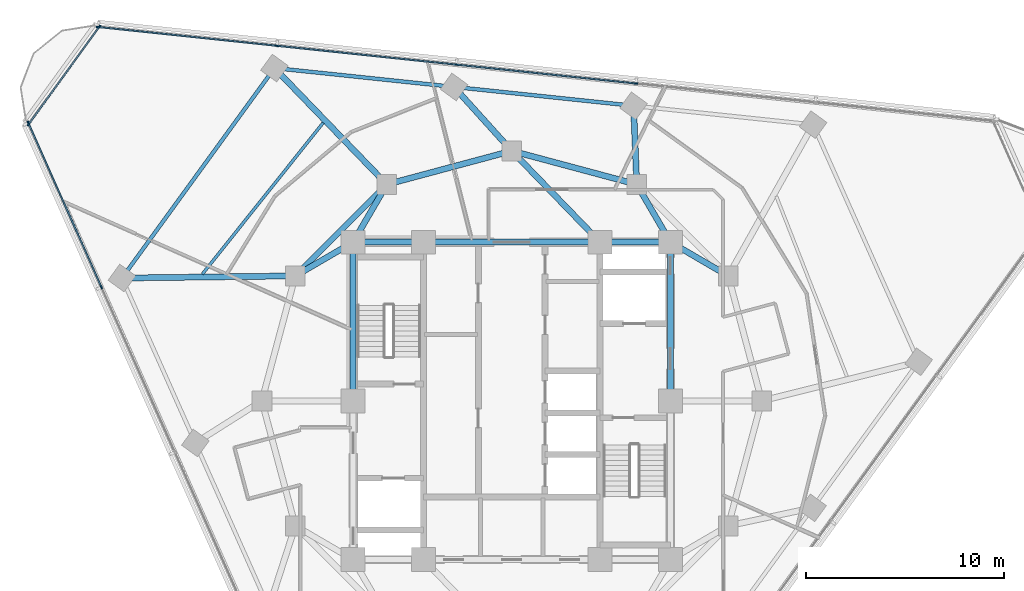
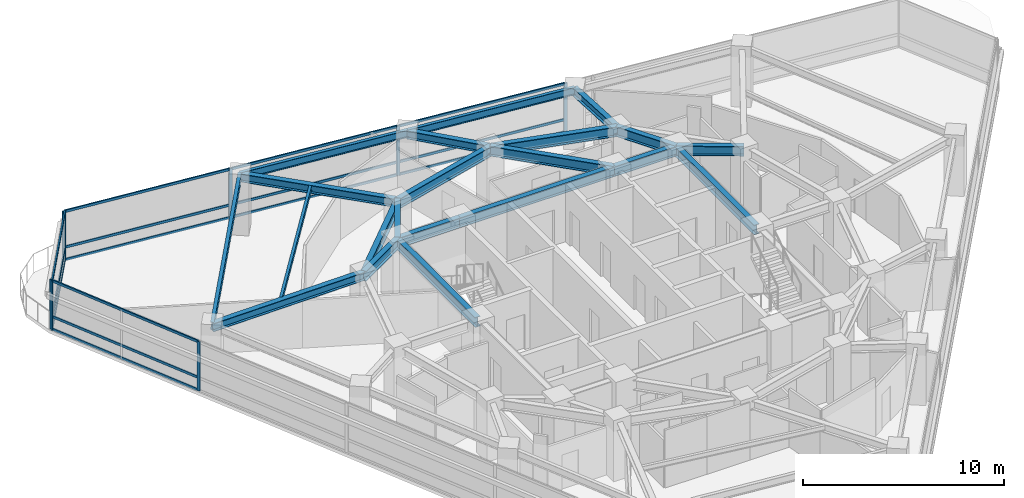
# One storey, part 5 of 15: 23 members, 21 beams, 3 elements without a shape of their own.
"""IFC4 building model written with IfcOpenShell, lengths in metres."""

from ifc_helpers import new_model, si_unit, direction, frame, origin, origin_2d, place, context, subcontext, project, spatial, rectangle, i_section, extrude, material, layer, layer_set, material_profile, profile_set, type_object, element, aggregate, save


model = new_model("IFC4")

# Units and contexts
model_context = context("Model", 3, precision=1e-05, world=origin(), true_north=direction((0.0, 1.0)))
body_context = subcontext(model_context, "Body", "Model", "MODEL_VIEW")
ifc_project = project(units=[si_unit("LENGTHUNIT", "METRE"), si_unit("AREAUNIT", "SQUARE_METRE"), si_unit("VOLUMEUNIT", "CUBIC_METRE"), si_unit("PLANEANGLEUNIT", "RADIAN"), si_unit("MASSUNIT", "GRAM", prefix="KILO")], contexts=[model_context])

# Site, building, storey
site_placement = place(None, origin())
site = spatial("IfcSite", under=ifc_project, at=site_placement, CompositionType="ELEMENT")
building_placement = place(site_placement, origin())
building = spatial("IfcBuilding", under=site, at=building_placement, Name="Terralouvre Media Tower", CompositionType="ELEMENT")
storey_placement = place(building_placement, frame((0.0, 0.0, 237.39990234375)))
storey = spatial("IfcBuildingStorey", under=building, at=storey_placement, Name="L61", CompositionType="ELEMENT", Elevation=237.39990234375)

# Beam
ifc_material_1 = material(Name="Structural steel S355J2", Category="steel")
ifc_material_profile_1 = material_profile(ifc_material_1, i_section(OverallWidth=0.14990234375, OverallDepth=0.300048828125, WebThickness=0.007080078125, FlangeThickness=0.0107421875, at=origin_2d()), Name="IPE 300")
ifc_profile_set_1 = profile_set([ifc_material_profile_1], Name="Structural steel S355J2")
beam_type_1 = type_object("IfcBeamType", Name="Composite Floor Joist J-IPE300 (IPE 300)", PredefinedType="JOIST", material=ifc_profile_set_1)
beam_1_placement = place(storey_placement, frame((-9.507568359375, 14.0205078125, 3.35009765625), z_axis=(-0.623938489158, -0.781473455561, 0.0), x_axis=(0.781473455561, -0.623938489158, 0.0)))
element("IfcBeam", 1, at=beam_1_placement, inside=storey, type_object=beam_type_1, Name="L61 Framing Beam JT-L61-05", PredefinedType="JOIST", context=body_context, shape_type="SweptSolid", body=[
    extrude(i_section(OverallWidth=0.14990234375, OverallDepth=0.300048828125, WebThickness=0.007080078125, FlangeThickness=0.0107421875, at=origin_2d()), origin(), (0.0, 0.0, 1.0), 9.763427734375),
])

# Curtain wall, members
ifc_material_2 = material(Name="Low-iron laminated double glazing with solar-control coating", Category="glass")
ifc_layer_1 = layer(ifc_material_2, 0.1650390625, Name="Upper Executive Tower Curtain Wall CW-05")
ifc_layer_set_1 = layer_set([ifc_layer_1], Name="Low-iron laminated double glazing with solar-control coating")
curtain_wall_type_1 = type_object("IfcCurtainWallType", Name="Upper Executive Tower Curtain Wall CW-05", PredefinedType="NOTDEFINED", material=ifc_layer_set_1)
curtain_wall_1_placement = place(storey_placement, origin())
curtain_wall_1 = element("IfcCurtainWall", 2, at=curtain_wall_1_placement, inside=storey, type_object=curtain_wall_type_1, Name="L61 Facade Curtain Wall F1", PredefinedType="NOTDEFINED")
ifc_material_3 = material(Name="Anodised extruded aluminium 6063-T6", Category="aluminium")
ifc_material_profile_2 = material_profile(ifc_material_3, rectangle(XDim=0.074951171875, YDim=0.14990234375, at=origin_2d()), Name="ALU 75x150")
ifc_profile_set_2 = profile_set([ifc_material_profile_2], Name="Anodised extruded aluminium 6063-T6")
member_type_1 = type_object("IfcMemberType", Name="Curtain-Wall Horizontal Transom TR-150", PredefinedType="USERDEFINED", material=ifc_profile_set_2)
member_1_placement = place(storey_placement, frame((6.21923828125, 16.002197265625, 0.03759765625), z_axis=(-0.994522041896, 0.104527069141, 0.0), x_axis=(-0.104527069141, -0.994522041896, 0.0)))
member_1 = element("IfcMember", 3, at=member_1_placement, type_object=member_type_1, Name="CW-05 transom 3.1", ObjectType="TRANSOM", PredefinedType="USERDEFINED", context=body_context, shape_type="SweptSolid", body=[
    extrude(rectangle(XDim=0.074951171875, YDim=0.14990234375, at=origin_2d()), origin(), (0.0, 0.0, 1.0), 9.025146484375),
])
member_2_placement = place(storey_placement, frame((6.21923828125, 16.002197265625, 0.800048828125), z_axis=(-0.994522041896, 0.104527069141, 0.0), x_axis=(-0.104527069141, -0.994522041896, 0.0)))
member_2 = element("IfcMember", 4, at=member_2_placement, type_object=member_type_1, Name="CW-05 transom 3.2", ObjectType="TRANSOM", PredefinedType="USERDEFINED", context=body_context, shape_type="SweptSolid", body=[
    extrude(rectangle(XDim=0.074951171875, YDim=0.14990234375, at=origin_2d()), origin(), (0.0, 0.0, 1.0), 9.025146484375),
])
member_3_placement = place(storey_placement, frame((6.21923828125, 16.002197265625, 2.962646484375), z_axis=(-0.994522041896, 0.104527069141, 0.0), x_axis=(-0.104527069141, -0.994522041896, 0.0)))
member_3 = element("IfcMember", 5, at=member_3_placement, type_object=member_type_1, Name="CW-05 transom 3.3", ObjectType="TRANSOM", PredefinedType="USERDEFINED", context=body_context, shape_type="SweptSolid", body=[
    extrude(rectangle(XDim=0.074951171875, YDim=0.14990234375, at=origin_2d()), origin(), (0.0, 0.0, 1.0), 9.025146484375),
])
member_4_placement = place(storey_placement, frame((-2.830810546875, 16.95361328125, 0.03759765625), z_axis=(-0.994522041896, 0.104527069141, 0.0), x_axis=(-0.104527069141, -0.994522041896, 0.0)))
member_4 = element("IfcMember", 6, at=member_4_placement, type_object=member_type_1, Name="CW-05 transom 4.1", ObjectType="TRANSOM", PredefinedType="USERDEFINED", context=body_context, shape_type="SweptSolid", body=[
    extrude(rectangle(XDim=0.074951171875, YDim=0.14990234375, at=origin_2d()), origin(), (0.0, 0.0, 1.0), 9.025146484375),
])
member_5_placement = place(storey_placement, frame((-2.830810546875, 16.95361328125, 0.800048828125), z_axis=(-0.994522041896, 0.104527069141, 0.0), x_axis=(-0.104527069141, -0.994522041896, 0.0)))
member_5 = element("IfcMember", 7, at=member_5_placement, type_object=member_type_1, Name="CW-05 transom 4.2", ObjectType="TRANSOM", PredefinedType="USERDEFINED", context=body_context, shape_type="SweptSolid", body=[
    extrude(rectangle(XDim=0.074951171875, YDim=0.14990234375, at=origin_2d()), origin(), (0.0, 0.0, 1.0), 9.025146484375),
])
member_6_placement = place(storey_placement, frame((-2.830810546875, 16.95361328125, 2.962646484375), z_axis=(-0.994522041896, 0.104527069141, 0.0), x_axis=(-0.104527069141, -0.994522041896, 0.0)))
member_6 = element("IfcMember", 8, at=member_6_placement, type_object=member_type_1, Name="CW-05 transom 4.3", ObjectType="TRANSOM", PredefinedType="USERDEFINED", context=body_context, shape_type="SweptSolid", body=[
    extrude(rectangle(XDim=0.074951171875, YDim=0.14990234375, at=origin_2d()), origin(), (0.0, 0.0, 1.0), 9.025146484375),
])
member_7_placement = place(storey_placement, frame((-11.881103515625, 17.90478515625, 0.03759765625), z_axis=(-0.994521813919, 0.104529238206, 0.0), x_axis=(-0.104529238206, -0.994521813919, 0.0)))
member_7 = element("IfcMember", 9, at=member_7_placement, type_object=member_type_1, Name="CW-05 transom 5.1", ObjectType="TRANSOM", PredefinedType="USERDEFINED", context=body_context, shape_type="SweptSolid", body=[
    extrude(rectangle(XDim=0.074951171875, YDim=0.14990234375, at=origin_2d()), origin(), (0.0, 0.0, 1.0), 8.987548828125),
])
member_8_placement = place(storey_placement, frame((-11.881103515625, 17.90478515625, 0.800048828125), z_axis=(-0.994521813919, 0.104529238206, 0.0), x_axis=(-0.104529238206, -0.994521813919, 0.0)))
member_8 = element("IfcMember", 10, at=member_8_placement, type_object=member_type_1, Name="CW-05 transom 5.2", ObjectType="TRANSOM", PredefinedType="USERDEFINED", context=body_context, shape_type="SweptSolid", body=[
    extrude(rectangle(XDim=0.074951171875, YDim=0.14990234375, at=origin_2d()), origin(), (0.0, 0.0, 1.0), 8.987548828125),
])
member_9_placement = place(storey_placement, frame((-11.881103515625, 17.90478515625, 2.962646484375), z_axis=(-0.994521813919, 0.104529238206, 0.0), x_axis=(-0.104529238206, -0.994521813919, 0.0)))
member_9 = element("IfcMember", 11, at=member_9_placement, type_object=member_type_1, Name="CW-05 transom 5.3", ObjectType="TRANSOM", PredefinedType="USERDEFINED", context=body_context, shape_type="SweptSolid", body=[
    extrude(rectangle(XDim=0.074951171875, YDim=0.14990234375, at=origin_2d()), origin(), (0.0, 0.0, 1.0), 8.987548828125),
])

curtain_wall_2_placement = place(storey_placement, origin())
curtain_wall_2 = element("IfcCurtainWall", 12, at=curtain_wall_2_placement, inside=storey, type_object=curtain_wall_type_1, Name="L61 Facade Curtain Wall F2", PredefinedType="NOTDEFINED")
member_10_placement = place(storey_placement, frame((-24.35546875, 13.97705078125, 0.03759765625), z_axis=(0.406758390963, -0.913535774549, 0.0), x_axis=(0.913535774549, 0.406758390963, 0.0)))
member_10 = element("IfcMember", 13, at=member_10_placement, type_object=member_type_1, Name="CW-05 transom 1.1", ObjectType="TRANSOM", PredefinedType="USERDEFINED", context=body_context, shape_type="SweptSolid", body=[
    extrude(rectangle(XDim=0.074951171875, YDim=0.14990234375, at=origin_2d()), origin(), (0.0, 0.0, 1.0), 8.987548828125),
])
member_11_placement = place(storey_placement, frame((-24.35546875, 13.97705078125, 0.800048828125), z_axis=(0.406758390963, -0.913535774549, 0.0), x_axis=(0.913535774549, 0.406758390963, 0.0)))
member_11 = element("IfcMember", 14, at=member_11_placement, type_object=member_type_1, Name="CW-05 transom 1.2", ObjectType="TRANSOM", PredefinedType="USERDEFINED", context=body_context, shape_type="SweptSolid", body=[
    extrude(rectangle(XDim=0.074951171875, YDim=0.14990234375, at=origin_2d()), origin(), (0.0, 0.0, 1.0), 8.987548828125),
])
member_12_placement = place(storey_placement, frame((-24.35546875, 13.97705078125, 2.962646484375), z_axis=(0.406758390963, -0.913535774549, 0.0), x_axis=(0.913535774549, 0.406758390963, 0.0)))
member_12 = element("IfcMember", 15, at=member_12_placement, type_object=member_type_1, Name="CW-05 transom 1.3", ObjectType="TRANSOM", PredefinedType="USERDEFINED", context=body_context, shape_type="SweptSolid", body=[
    extrude(rectangle(XDim=0.074951171875, YDim=0.14990234375, at=origin_2d()), origin(), (0.0, 0.0, 1.0), 8.987548828125),
])

ifc_material_4 = material(Name="Low-iron laminated double glazing with solar-control coating", Category="glass")
ifc_layer_2 = layer(ifc_material_4, 0.1650390625, Name="Rounded Wind-Corner Curved Glazing CW-04")
ifc_layer_set_2 = layer_set([ifc_layer_2], Name="Low-iron laminated double glazing with solar-control coating")
curtain_wall_type_2 = type_object("IfcCurtainWallType", Name="Rounded Wind-Corner Curved Glazing CW-04", PredefinedType="NOTDEFINED", material=ifc_layer_set_2)
curtain_wall_3_placement = place(storey_placement, origin())
curtain_wall_3 = element("IfcCurtainWall", 16, at=curtain_wall_3_placement, inside=storey, type_object=curtain_wall_type_2, Name="L61 Rounded Wind-Corner Curtain Wall C2", PredefinedType="NOTDEFINED")
member_13_placement = place(storey_placement, frame((-20.812255859375, 18.828369140625, 0.03759765625), z_axis=(-0.58777959511, -0.809021104528, 0.0), x_axis=(0.809021104528, -0.58777959511, 0.0)))
member_13 = element("IfcMember", 17, at=member_13_placement, type_object=member_type_1, Name="CW-04 transom 1.1", ObjectType="TRANSOM", PredefinedType="USERDEFINED", context=body_context, shape_type="SweptSolid", body=[
    extrude(rectangle(XDim=0.074951171875, YDim=0.14990234375, at=origin_2d()), origin(), (0.0, 0.0, 1.0), 5.99853515625),
])
member_14_placement = place(storey_placement, frame((-20.812255859375, 18.828369140625, 0.800048828125), z_axis=(-0.58777959511, -0.809021104528, 0.0), x_axis=(0.809021104528, -0.58777959511, 0.0)))
member_14 = element("IfcMember", 18, at=member_14_placement, type_object=member_type_1, Name="CW-04 transom 1.2", ObjectType="TRANSOM", PredefinedType="USERDEFINED", context=body_context, shape_type="SweptSolid", body=[
    extrude(rectangle(XDim=0.074951171875, YDim=0.14990234375, at=origin_2d()), origin(), (0.0, 0.0, 1.0), 5.99853515625),
])
member_15_placement = place(storey_placement, frame((-20.812255859375, 18.828369140625, 2.962646484375), z_axis=(-0.58777959511, -0.809021104528, 0.0), x_axis=(0.809021104528, -0.58777959511, 0.0)))
member_15 = element("IfcMember", 19, at=member_15_placement, type_object=member_type_1, Name="CW-04 transom 1.3", ObjectType="TRANSOM", PredefinedType="USERDEFINED", context=body_context, shape_type="SweptSolid", body=[
    extrude(rectangle(XDim=0.074951171875, YDim=0.14990234375, at=origin_2d()), origin(), (0.0, 0.0, 1.0), 5.99853515625),
])

# Member
ifc_material_5 = material(Name="Anodised extruded aluminium 6063-T6", Category="aluminium")
ifc_material_profile_3 = material_profile(ifc_material_5, rectangle(XDim=0.074951171875, YDim=0.179931640625, at=origin_2d()), Name="ALU 75x180")
ifc_profile_set_3 = profile_set([ifc_material_profile_3], Name="Anodised extruded aluminium 6063-T6")
member_type_2 = type_object("IfcMemberType", Name="Curtain-Wall Vertical Mullion ML-180", PredefinedType="MULLION", material=ifc_profile_set_3)
member_16_placement = place(storey_placement, frame((6.256591796875, 15.998291015625, 0.0), z_axis=(0.0, 0.0, 1.0), x_axis=(-0.104528561651, -0.994521885028, 0.0)))
member_16 = element("IfcMember", 20, at=member_16_placement, type_object=member_type_2, Name="CW-05 mullion 3", PredefinedType="MULLION", context=body_context, shape_type="SweptSolid", body=[
    extrude(rectangle(XDim=0.074951171875, YDim=0.179931640625, at=origin_2d()), origin(), (0.0, 0.0, 1.0), 3.0),
])

member_17_placement = place(storey_placement, frame((-2.793701171875, 16.949462890625, 0.0), z_axis=(0.0, 0.0, 1.0), x_axis=(-0.104528561651, -0.994521885028, 0.0)))
member_17 = element("IfcMember", 21, at=member_17_placement, type_object=member_type_2, Name="CW-05 mullion 4", PredefinedType="MULLION", context=body_context, shape_type="SweptSolid", body=[
    extrude(rectangle(XDim=0.074951171875, YDim=0.179931640625, at=origin_2d()), origin(), (0.0, 0.0, 1.0), 3.0),
])

member_18_placement = place(storey_placement, frame((-11.84375, 17.90087890625, 0.0), z_axis=(0.0, 0.0, 1.0), x_axis=(-0.104528561651, -0.994521885028, 0.0)))
member_18 = element("IfcMember", 22, at=member_18_placement, type_object=member_type_2, Name="CW-05 mullion 5", PredefinedType="MULLION", context=body_context, shape_type="SweptSolid", body=[
    extrude(rectangle(XDim=0.074951171875, YDim=0.179931640625, at=origin_2d()), origin(), (0.0, 0.0, 1.0), 3.0),
])

member_19_placement = place(storey_placement, frame((-20.856689453125, 18.84814453125, 0.0), z_axis=(0.0, 0.0, 1.0), x_axis=(-0.104528561651, -0.994521885028, 0.0)))
member_19 = element("IfcMember", 23, at=member_19_placement, type_object=member_type_2, Name="CW-05 mullion 6", PredefinedType="MULLION", context=body_context, shape_type="SweptSolid", body=[
    extrude(rectangle(XDim=0.074951171875, YDim=0.179931640625, at=origin_2d()), origin(), (0.0, 0.0, 1.0), 3.0),
])

aggregate(curtain_wall_1, [member_16, member_17, member_18, member_19, member_1, member_2, member_3, member_4, member_5, member_6, member_7, member_8, member_9])

member_20_placement = place(storey_placement, frame((-24.37060546875, 14.011474609375, 0.0), z_axis=(0.0, 0.0, 1.0), x_axis=(0.913545441365, 0.406736679636, 0.0)))
member_20 = element("IfcMember", 24, at=member_20_placement, type_object=member_type_2, Name="CW-05 mullion 1", PredefinedType="MULLION", context=body_context, shape_type="SweptSolid", body=[
    extrude(rectangle(XDim=0.074951171875, YDim=0.179931640625, at=origin_2d()), origin(), (0.0, 0.0, 1.0), 3.0),
])

member_21_placement = place(storey_placement, frame((-20.6845703125, 5.732421875, 0.0), z_axis=(0.0, 0.0, 1.0), x_axis=(0.913545441365, 0.406736679636, 0.0)))
member_21 = element("IfcMember", 25, at=member_21_placement, type_object=member_type_2, Name="CW-05 mullion 2", PredefinedType="MULLION", context=body_context, shape_type="SweptSolid", body=[
    extrude(rectangle(XDim=0.074951171875, YDim=0.179931640625, at=origin_2d()), origin(), (0.0, 0.0, 1.0), 3.0),
])

aggregate(curtain_wall_2, [member_20, member_21, member_10, member_11, member_12])

member_22_placement = place(storey_placement, frame((-20.7900390625, 18.858642578125, 0.0), z_axis=(0.0, 0.0, 1.0), x_axis=(0.809016531067, -0.58778588998, 0.0)))
member_22 = element("IfcMember", 26, at=member_22_placement, type_object=member_type_2, Name="CW-04 mullion 1", PredefinedType="MULLION", context=body_context, shape_type="SweptSolid", body=[
    extrude(rectangle(XDim=0.074951171875, YDim=0.179931640625, at=origin_2d()), origin(), (0.0, 0.0, 1.0), 3.0),
])

member_23_placement = place(storey_placement, frame((-24.360107421875, 13.94482421875, 0.0), z_axis=(0.0, 0.0, 1.0), x_axis=(0.809016531067, -0.58778588998, 0.0)))
member_23 = element("IfcMember", 27, at=member_23_placement, type_object=member_type_2, Name="CW-04 mullion 2", PredefinedType="MULLION", context=body_context, shape_type="SweptSolid", body=[
    extrude(rectangle(XDim=0.074951171875, YDim=0.179931640625, at=origin_2d()), origin(), (0.0, 0.0, 1.0), 3.0),
])

aggregate(curtain_wall_3, [member_22, member_23, member_13, member_14, member_15])

# Beams
ifc_material_6 = material(Name="Structural steel S355J2", Category="steel")
ifc_material_profile_4 = material_profile(ifc_material_6, i_section(OverallWidth=0.18994140625, OverallDepth=0.449951171875, WebThickness=0.009521484375, FlangeThickness=0.0146484375, at=origin_2d()), Name="IPE 450")
ifc_profile_set_4 = profile_set([ifc_material_profile_4], Name="Structural steel S355J2")
beam_type_2 = type_object("IfcBeamType", Name="Perimeter Spandrel Beam SPB-450 (IPE 450)", PredefinedType="SPANDREL", material=ifc_profile_set_4)
beam_2_placement = place(storey_placement, frame((6.138427734375, 14.87451171875, 3.275146484375), z_axis=(-0.994522199081, 0.104525573596, 0.0), x_axis=(-0.104525573596, -0.994522199081, 0.0)))
element("IfcBeam", 28, at=beam_2_placement, inside=storey, type_object=beam_type_2, Name="L61 Framing Beam BM-L61-PR09", PredefinedType="SPANDREL", context=body_context, shape_type="SweptSolid", body=[
    extrude(i_section(OverallWidth=0.18994140625, OverallDepth=0.449951171875, WebThickness=0.009521484375, FlangeThickness=0.0146484375, at=origin_2d()), origin(), (0.0, 0.0, 1.0), 9.099853515625),
])
beam_3_placement = place(storey_placement, frame((-2.91162109375, 15.82568359375, 3.275146484375), z_axis=(-0.994522492191, 0.10452278472, 0.0), x_axis=(-0.10452278472, -0.994522492191, 0.0)))
element("IfcBeam", 29, at=beam_3_placement, inside=storey, type_object=beam_type_2, Name="L61 Framing Beam BM-L61-PR10", PredefinedType="SPANDREL", context=body_context, shape_type="SweptSolid", body=[
    extrude(i_section(OverallWidth=0.18994140625, OverallDepth=0.449951171875, WebThickness=0.009521484375, FlangeThickness=0.0146484375, at=origin_2d()), origin(), (0.0, 0.0, 1.0), 9.10009765625),
])
beam_4_placement = place(storey_placement, frame((-11.9619140625, 16.77685546875, 3.275146484375), z_axis=(-0.587794396272, -0.809010350806, 0.0), x_axis=(0.809010350806, -0.587794396272, 0.0)))
element("IfcBeam", 30, at=beam_4_placement, inside=storey, type_object=beam_type_2, Name="L61 Framing Beam BM-L61-PR11", PredefinedType="SPANDREL", context=body_context, shape_type="SweptSolid", body=[
    extrude(i_section(OverallWidth=0.18994140625, OverallDepth=0.449951171875, WebThickness=0.009521484375, FlangeThickness=0.0146484375, at=origin_2d()), origin(), (0.0, 0.0, 1.0), 13.08349609375),
])
ifc_material_7 = material(Name="Structural steel S355J2", Category="steel")
ifc_material_profile_5 = material_profile(ifc_material_7, i_section(OverallWidth=0.300048828125, OverallDepth=0.5, WebThickness=0.014404296875, FlangeThickness=0.028076171875, at=origin_2d()), Name="HEB 500")
ifc_profile_set_5 = profile_set([ifc_material_profile_5], Name="Structural steel S355J2")
beam_type_3 = type_object("IfcBeamType", Name="Primary Floor Girder B-HEB500 (HEB 500)", PredefinedType="BEAM", material=ifc_profile_set_5)
beam_5_placement = place(storey_placement, frame((6.300048828125, 10.911865234375, 3.25), z_axis=(-0.040752268141, 0.999169281274, 0.0), x_axis=(-0.999169281274, -0.040752268141, 0.0)))
element("IfcBeam", 31, at=beam_5_placement, inside=storey, type_object=beam_type_3, Name="L61 Framing Beam BM-L61-RD09", PredefinedType="BEAM", context=body_context, shape_type="SweptSolid", body=[
    extrude(i_section(OverallWidth=0.300048828125, OverallDepth=0.5, WebThickness=0.014404296875, FlangeThickness=0.028076171875, at=origin_2d()), origin(), (0.0, 0.0, 1.0), 3.9658203125),
])
beam_6_placement = place(storey_placement, frame((0.0, 12.60009765625, 3.25), z_axis=(-0.670056658177, 0.742309958732, 0.0), x_axis=(-0.742309958732, -0.670056658177, 0.0)))
element("IfcBeam", 32, at=beam_6_placement, inside=storey, type_object=beam_type_3, Name="L61 Framing Beam BM-L61-RD10", PredefinedType="BEAM", context=body_context, shape_type="SweptSolid", body=[
    extrude(i_section(OverallWidth=0.300048828125, OverallDepth=0.5, WebThickness=0.014404296875, FlangeThickness=0.028076171875, at=origin_2d()), origin(), (0.0, 0.0, 1.0), 4.34521484375),
])
beam_7_placement = place(storey_placement, frame((-6.300048828125, 10.911865234375, 3.25), z_axis=(-0.694538392484, 0.719455642389, 0.0), x_axis=(-0.719455642389, -0.694538392484, 0.0)))
element("IfcBeam", 33, at=beam_7_placement, inside=storey, type_object=beam_type_3, Name="L61 Framing Beam BM-L61-RD11", PredefinedType="BEAM", context=body_context, shape_type="SweptSolid", body=[
    extrude(i_section(OverallWidth=0.300048828125, OverallDepth=0.5, WebThickness=0.014404296875, FlangeThickness=0.028076171875, at=origin_2d()), origin(), (0.0, 0.0, 1.0), 8.152099609375),
])
beam_8_placement = place(storey_placement, frame((-10.911865234375, 6.300048828125, 3.25), z_axis=(-0.999923796559, -0.012345083045, 0.0), x_axis=(0.012345083045, -0.999923796559, 0.0)))
element("IfcBeam", 34, at=beam_8_placement, inside=storey, type_object=beam_type_3, Name="L61 Framing Beam BM-L61-RD12", PredefinedType="BEAM", context=body_context, shape_type="SweptSolid", body=[
    extrude(i_section(OverallWidth=0.300048828125, OverallDepth=0.5, WebThickness=0.014404296875, FlangeThickness=0.028076171875, at=origin_2d()), origin(), (0.0, 0.0, 1.0), 8.7412109375),
])
ifc_material_8 = material(Name="Structural steel S460M", Category="steel")
ifc_material_profile_6 = material_profile(ifc_material_8, i_section(OverallWidth=0.300048828125, OverallDepth=0.60009765625, WebThickness=0.015380859375, FlangeThickness=0.030029296875, at=origin_2d()), Name="HEB 600")
ifc_profile_set_6 = profile_set([ifc_material_profile_6], Name="Structural steel S460M")
beam_type_4 = type_object("IfcBeamType", Name="Primary Floor Girder B-HEB600 (HEB 600)", PredefinedType="BEAM", material=ifc_profile_set_6)
beam_9_placement = place(storey_placement, frame((8.0, 0.0, 3.2001953125), z_axis=(0.0, 1.0, 0.0), x_axis=(-1.0, 0.0, 0.0)))
element("IfcBeam", 35, at=beam_9_placement, inside=storey, type_object=beam_type_4, Name="L61 Framing Beam BM-L61-CPR05", PredefinedType="BEAM", context=body_context, shape_type="SweptSolid", body=[
    extrude(i_section(OverallWidth=0.300048828125, OverallDepth=0.60009765625, WebThickness=0.015380859375, FlangeThickness=0.030029296875, at=origin_2d()), origin(), (0.0, 0.0, 1.0), 8.0),
])
beam_10_placement = place(storey_placement, frame((8.0, 8.0, 3.2001953125), z_axis=(-1.0, 0.0, 0.0), x_axis=(0.0, -1.0, 0.0)))
element("IfcBeam", 36, at=beam_10_placement, inside=storey, type_object=beam_type_4, Name="L61 Framing Beam BM-L61-CPR06", PredefinedType="BEAM", context=body_context, shape_type="SweptSolid", body=[
    extrude(i_section(OverallWidth=0.300048828125, OverallDepth=0.60009765625, WebThickness=0.015380859375, FlangeThickness=0.030029296875, at=origin_2d()), origin(), (0.0, 0.0, 1.0), 3.550048828125),
])
beam_11_placement = place(storey_placement, frame((4.449951171875, 8.0, 3.2001953125), z_axis=(-1.0, 0.0, 0.0), x_axis=(0.0, -1.0, 0.0)))
element("IfcBeam", 37, at=beam_11_placement, inside=storey, type_object=beam_type_4, Name="L61 Framing Beam BM-L61-CPR07", PredefinedType="BEAM", context=body_context, shape_type="SweptSolid", body=[
    extrude(i_section(OverallWidth=0.300048828125, OverallDepth=0.60009765625, WebThickness=0.015380859375, FlangeThickness=0.030029296875, at=origin_2d()), origin(), (0.0, 0.0, 1.0), 8.89990234375),
])
beam_12_placement = place(storey_placement, frame((-4.449951171875, 8.0, 3.2001953125), z_axis=(-1.0, 0.0, 0.0), x_axis=(0.0, -1.0, 0.0)))
element("IfcBeam", 38, at=beam_12_placement, inside=storey, type_object=beam_type_4, Name="L61 Framing Beam BM-L61-CPR08", PredefinedType="BEAM", context=body_context, shape_type="SweptSolid", body=[
    extrude(i_section(OverallWidth=0.300048828125, OverallDepth=0.60009765625, WebThickness=0.015380859375, FlangeThickness=0.030029296875, at=origin_2d()), origin(), (0.0, 0.0, 1.0), 3.550048828125),
])
beam_13_placement = place(storey_placement, frame((-8.0, 8.0, 3.2001953125), z_axis=(0.0, -1.0, 0.0), x_axis=(1.0, 0.0, 0.0)))
element("IfcBeam", 39, at=beam_13_placement, inside=storey, type_object=beam_type_4, Name="L61 Framing Beam BM-L61-CPR09", PredefinedType="BEAM", context=body_context, shape_type="SweptSolid", body=[
    extrude(i_section(OverallWidth=0.300048828125, OverallDepth=0.60009765625, WebThickness=0.015380859375, FlangeThickness=0.030029296875, at=origin_2d()), origin(), (0.0, 0.0, 1.0), 8.0),
])
for number, where, z_axis, x_axis, name in (
    (40, (6.300048828125, 10.911865234375, 3.2001953125), (-0.965920481897, 0.258838989821, 0.0), (-0.258838989821, -0.965920481897, 0.0), "L61 Framing Beam BM-L61-MR08"),
    (41, (0.0, 12.60009765625, 3.2001953125), (-0.965920481897, -0.258838989821, 0.0), (0.258838989821, -0.965920481897, 0.0), "L61 Framing Beam BM-L61-MR09"),
):
    element("IfcBeam", number, at=place(storey_placement, frame(where, z_axis=z_axis, x_axis=x_axis)), inside=storey, type_object=beam_type_4, Name=name, PredefinedType="BEAM", context=body_context, shape_type="SweptSolid", body=[
        extrude(i_section(OverallWidth=0.300048828125, OverallDepth=0.60009765625, WebThickness=0.015380859375, FlangeThickness=0.030029296875, at=origin_2d()), origin(), (0.0, 0.0, 1.0), 6.522216796875),
    ])
beam_14_placement = place(storey_placement, frame((-6.300048828125, 10.911865234375, 3.2001953125), z_axis=(-0.707106781187, -0.707106781187, 0.0), x_axis=(0.707106781187, -0.707106781187, 0.0)))
element("IfcBeam", 42, at=beam_14_placement, inside=storey, type_object=beam_type_4, Name="L61 Framing Beam BM-L61-MR10", PredefinedType="BEAM", context=body_context, shape_type="SweptSolid", body=[
    extrude(i_section(OverallWidth=0.300048828125, OverallDepth=0.60009765625, WebThickness=0.015380859375, FlangeThickness=0.030029296875, at=origin_2d()), origin(), (0.0, 0.0, 1.0), 6.52197265625),
])
for number, where, z_axis, x_axis, name in (
    (43, (8.0, 8.0, 3.2001953125), (0.863602894532, -0.504172629717, 0.0), (0.504172629717, 0.863602894532, 0.0), "L61 Framing Beam BM-L61-CM07"),
    (44, (8.0, 8.0, 3.2001953125), (-0.504172629717, 0.863602894532, 0.0), (-0.863602894532, -0.504172629717, 0.0), "L61 Framing Beam BM-L61-CM08"),
):
    element("IfcBeam", number, at=place(storey_placement, frame(where, z_axis=z_axis, x_axis=x_axis)), inside=storey, type_object=beam_type_4, Name=name, PredefinedType="BEAM", context=body_context, shape_type="SweptSolid", body=[
        extrude(i_section(OverallWidth=0.300048828125, OverallDepth=0.60009765625, WebThickness=0.015380859375, FlangeThickness=0.030029296875, at=origin_2d()), origin(), (0.0, 0.0, 1.0), 3.371826171875),
    ])
beam_15_placement = place(storey_placement, frame((4.449951171875, 8.0, 3.2001953125), z_axis=(-0.695279715726, 0.718739255155, 0.0), x_axis=(-0.718739255155, -0.695279715726, 0.0)))
element("IfcBeam", 45, at=beam_15_placement, inside=storey, type_object=beam_type_4, Name="L61 Framing Beam BM-L61-CM09", PredefinedType="BEAM", context=body_context, shape_type="SweptSolid", body=[
    extrude(i_section(OverallWidth=0.300048828125, OverallDepth=0.60009765625, WebThickness=0.015380859375, FlangeThickness=0.030029296875, at=origin_2d()), origin(), (0.0, 0.0, 1.0), 6.400146484375),
])
for number, where, z_axis, x_axis, name in (
    (46, (-8.0, 8.0, 3.2001953125), (0.504172629717, 0.863602894532, 0.0), (-0.863602894532, 0.504172629717, 0.0), "L61 Framing Beam BM-L61-CM10"),
    (47, (-8.0, 8.0, 3.2001953125), (-0.863602894532, -0.504172629717, 0.0), (0.504172629717, -0.863602894532, 0.0), "L61 Framing Beam BM-L61-CM11"),
):
    element("IfcBeam", number, at=place(storey_placement, frame(where, z_axis=z_axis, x_axis=x_axis)), inside=storey, type_object=beam_type_4, Name=name, PredefinedType="BEAM", context=body_context, shape_type="SweptSolid", body=[
        extrude(i_section(OverallWidth=0.300048828125, OverallDepth=0.60009765625, WebThickness=0.015380859375, FlangeThickness=0.030029296875, at=origin_2d()), origin(), (0.0, 0.0, 1.0), 3.371826171875),
    ])

save(model, "model.ifc")
